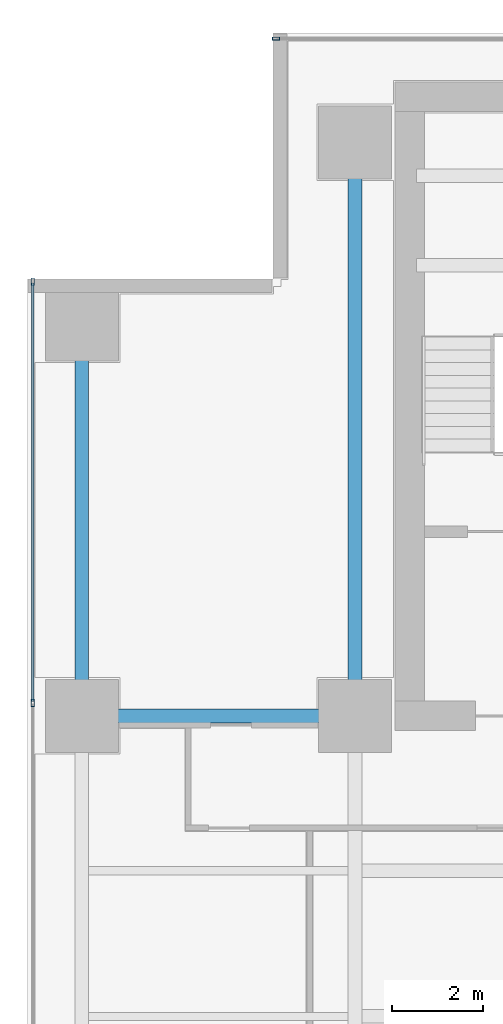
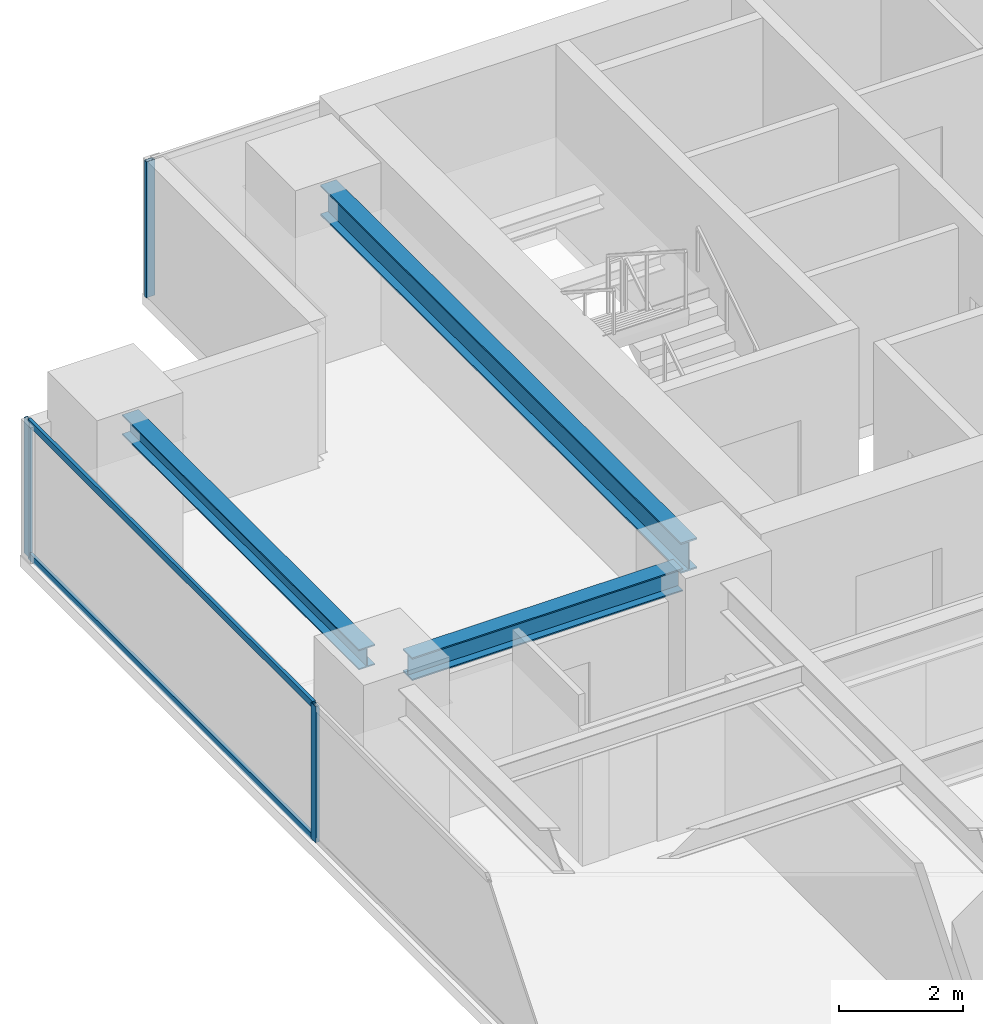
# One storey, part 14 of 28: 5 members, 3 beams, 2 elements without a shape of their own.
"""IFC4 building model written with IfcOpenShell, lengths in metres."""

from ifc_helpers import new_model, si_unit, direction, frame, origin, origin_2d, place, context, subcontext, project, spatial, hollow_rectangle, i_section, extrude, source, transform, mapped, material, layer, layer_set, material_profile, profile_set, type_object, element, aggregate, save


model = new_model("IFC4")

# Units and contexts
model_context = context("Model", 3, precision=1e-05, world=origin(), true_north=direction((0.0, 1.0)))
body_context = subcontext(model_context, "Body", "Model", "MODEL_VIEW")
ifc_project = project(units=[si_unit("LENGTHUNIT", "METRE"), si_unit("AREAUNIT", "SQUARE_METRE"), si_unit("VOLUMEUNIT", "CUBIC_METRE"), si_unit("PLANEANGLEUNIT", "RADIAN"), si_unit("MASSUNIT", "GRAM", prefix="KILO")], contexts=[model_context])

# Site, building, storey
site_placement = place(None, origin())
site = spatial("IfcSite", under=ifc_project, at=site_placement, CompositionType="ELEMENT")
building_placement = place(site_placement, origin())
building = spatial("IfcBuilding", under=site, at=building_placement, Name="Sumidabori Civic Tower", CompositionType="ELEMENT")
storey_placement = place(building_placement, frame((0.0, 0.0, 185.60009765625)))
storey = spatial("IfcBuildingStorey", under=building, at=storey_placement, Name="L48", CompositionType="ELEMENT", Elevation=185.60009765625)

# Beams
ifc_material_1 = material(Name="Steel SN490", Category="steel")
ifc_material_profile_1 = material_profile(ifc_material_1, i_section(OverallWidth=0.300048828125, OverallDepth=0.39990234375, WebThickness=0.013427734375, FlangeThickness=0.02392578125, at=origin_2d()), Name="HE 400 B")
ifc_profile_set_1 = profile_set([ifc_material_profile_1], Name="Steel SN490")
beam_type_1 = type_object("IfcBeamType", Name="BM-GIRD-400", PredefinedType="BEAM", material=ifc_profile_set_1)
shared_shape_1 = source(origin(), body_context, "Body", "SweptSolid", [
    extrude(i_section(OverallWidth=0.300048828125, OverallDepth=0.39990234375, WebThickness=0.013427734375, FlangeThickness=0.02392578125, at=origin_2d()), origin(), (0.0, 0.0, 1.0), 7.64013671875),
])
beam_1_placement = place(storey_placement, frame((-22.800048828125, 10.679931640625, 3.099853515625), z_axis=(0.0, 1.0, 0.0), x_axis=(-1.0, 0.0, 0.0)))
element("IfcBeam", 1, at=beam_1_placement, inside=storey, type_object=beam_type_1, Name="Primary Girder L48 GY-21", PredefinedType="BEAM", context=body_context, shape_type="MappedRepresentation", body=[
    mapped(shared_shape_1, transform((0.0, 0.0, 0.0), x_axis=(1.0, 0.0, 0.0), y_axis=(0.0, 1.0, 0.0), z_axis=(0.0, 0.0, 1.0), scale=1.0)),
])
ifc_material_profile_2 = material_profile(ifc_material_1, i_section(OverallWidth=0.300048828125, OverallDepth=0.60009765625, WebThickness=0.015380859375, FlangeThickness=0.030029296875, at=origin_2d()), Name="HE 600 B")
ifc_profile_set_2 = profile_set([ifc_material_profile_2], Name="Steel SN490")
beam_type_2 = type_object("IfcBeamType", Name="BM-GIRD-600", PredefinedType="BEAM", material=ifc_profile_set_2)
shared_shape_2 = source(origin(), body_context, "Body", "SweptSolid", [
    extrude(i_section(OverallWidth=0.300048828125, OverallDepth=0.60009765625, WebThickness=0.015380859375, FlangeThickness=0.030029296875, at=origin_2d()), origin(), (0.0, 0.0, 1.0), 11.64013671875),
])
beam_2_placement = place(storey_placement, frame((-16.800048828125, 10.679931640625, 3.0), z_axis=(0.0, 1.0, 0.0), x_axis=(-1.0, 0.0, 0.0)))
element("IfcBeam", 2, at=beam_2_placement, inside=storey, type_object=beam_type_2, Name="Primary Girder L48 GY-25", PredefinedType="BEAM", context=body_context, shape_type="MappedRepresentation", body=[
    mapped(shared_shape_2, transform((0.0, 0.0, 0.0), x_axis=(1.0, 0.0, 0.0), y_axis=(0.0, 1.0, 0.0), z_axis=(0.0, 0.0, 1.0), scale=1.0)),
])
ifc_material_profile_3 = material_profile(ifc_material_1, i_section(OverallWidth=0.300048828125, OverallDepth=0.449951171875, WebThickness=0.013916015625, FlangeThickness=0.02587890625, at=origin_2d()), Name="HE 450 B")
ifc_profile_set_3 = profile_set([ifc_material_profile_3], Name="Steel SN490")
beam_type_3 = type_object("IfcBeamType", Name="BM-GIRD-450", PredefinedType="BEAM", material=ifc_profile_set_3)
shared_shape_3 = source(origin(), body_context, "Body", "SweptSolid", [
    extrude(i_section(OverallWidth=0.300048828125, OverallDepth=0.449951171875, WebThickness=0.013916015625, FlangeThickness=0.02587890625, at=origin_2d()), origin(), (0.0, 0.0, 1.0), 5.0400390625),
])
beam_3_placement = place(storey_placement, frame((-22.320068359375, 10.199951171875, 3.074951171875), z_axis=(1.0, 0.0, 0.0), x_axis=(0.0, 1.0, 0.0)))
element("IfcBeam", 3, at=beam_3_placement, inside=storey, type_object=beam_type_3, Name="Primary Girder L48 GX-17", PredefinedType="BEAM", context=body_context, shape_type="MappedRepresentation", body=[
    mapped(shared_shape_3, transform((0.0, 0.0, 0.0), x_axis=(1.0, 0.0, 0.0), y_axis=(0.0, 1.0, 0.0), z_axis=(0.0, 0.0, 1.0), scale=1.0)),
])

# Curtain wall, member
ifc_material_2 = material(Name="Anodised Bronze Aluminium AW-6063-T6", Category="aluminium")
ifc_layer = layer(ifc_material_2, 0.179931640625, Name="Anodised Bronze Aluminium AW-6063-T6")
ifc_layer_set = layer_set([ifc_layer], Name="Anodised Bronze Aluminium AW-6063-T6")
curtain_wall_type = type_object("IfcCurtainWallType", Name="CW-SYS-3", PredefinedType="NOTDEFINED", material=ifc_layer_set)
curtain_wall_1_placement = place(storey_placement, origin())
curtain_wall_1 = element("IfcCurtainWall", 4, at=curtain_wall_1_placement, inside=storey, type_object=curtain_wall_type, Name="Curtain Wall CW:L48:R07", PredefinedType="NOTDEFINED")
ifc_material_profile_4 = material_profile(ifc_material_2, hollow_rectangle(XDim=0.06494140625, YDim=0.159912109375, WallThickness=0.0048828125, at=origin_2d()), Name="ALU MULLION 160x65")
ifc_profile_set_4 = profile_set([ifc_material_profile_4], Name="Anodised Bronze Aluminium AW-6063-T6")
member_type_1 = type_object("IfcMemberType", Name="CW-MUL-160", PredefinedType="MULLION", material=ifc_profile_set_4)
shared_shape_4 = source(origin(), body_context, "Body", "SweptSolid", [
    extrude(hollow_rectangle(XDim=0.06494140625, YDim=0.159912109375, WallThickness=0.0048828125, at=origin_2d()), origin(), (0.0, 0.0, 1.0), 2.679931640625),
])
member_1_placement = place(storey_placement, frame((-18.53759765625, 25.080078125, 0.0), z_axis=(0.0, 0.0, 1.0), x_axis=(0.0, -1.0, 0.0)))
member_1 = element("IfcMember", 5, at=member_1_placement, type_object=member_type_1, Name="CW-3 mullion 5", PredefinedType="MULLION", context=body_context, shape_type="MappedRepresentation", body=[
    mapped(shared_shape_4, transform((0.0, 0.0, 0.0), x_axis=(1.0, 0.0, 0.0), y_axis=(0.0, 1.0, 0.0), z_axis=(0.0, 0.0, 1.0), scale=1.0)),
])
aggregate(curtain_wall_1, [member_1])

# Curtain wall, members
curtain_wall_2_placement = place(storey_placement, origin())
curtain_wall_2 = element("IfcCurtainWall", 6, at=curtain_wall_2_placement, inside=storey, type_object=curtain_wall_type, Name="Curtain Wall CW:L48:R10", PredefinedType="NOTDEFINED")
member_2_placement = place(storey_placement, frame((-23.8798828125, 19.737548828125, 0.0), z_axis=(0.0, 0.0, 1.0), x_axis=(1.0, 0.0, 0.0)))
member_2 = element("IfcMember", 7, at=member_2_placement, type_object=member_type_1, Name="CW-3 mullion 1", PredefinedType="MULLION", context=body_context, shape_type="MappedRepresentation", body=[
    mapped(shared_shape_4, transform((0.0, 0.0, 0.0), x_axis=(1.0, 0.0, 0.0), y_axis=(0.0, 1.0, 0.0), z_axis=(0.0, 0.0, 1.0), scale=1.0)),
])
member_3_placement = place(storey_placement, frame((-23.8798828125, 10.485107421875, 0.0), z_axis=(0.0, 0.0, 1.0), x_axis=(1.0, 0.0, 0.0)))
member_3 = element("IfcMember", 8, at=member_3_placement, type_object=member_type_1, Name="CW-3 mullion 2", PredefinedType="MULLION", context=body_context, shape_type="MappedRepresentation", body=[
    mapped(shared_shape_4, transform((0.0, 0.0, 0.0), x_axis=(1.0, 0.0, 0.0), y_axis=(0.0, 1.0, 0.0), z_axis=(0.0, 0.0, 1.0), scale=1.0)),
])
ifc_material_profile_5 = material_profile(ifc_material_2, hollow_rectangle(XDim=0.06005859375, YDim=0.1298828125, WallThickness=0.0048828125, at=origin_2d()), Name="ALU TRANSOM 130x60")
ifc_profile_set_5 = profile_set([ifc_material_profile_5], Name="Anodised Bronze Aluminium AW-6063-T6")
member_type_2 = type_object("IfcMemberType", Name="CW-TRN-130", PredefinedType="USERDEFINED", material=ifc_profile_set_5)
shared_shape_5 = source(origin(), body_context, "Body", "SweptSolid", [
    extrude(hollow_rectangle(XDim=0.06005859375, YDim=0.1298828125, WallThickness=0.0048828125, at=origin_2d()), origin(), (0.0, 0.0, 1.0), 9.1875),
])
member_4_placement = place(storey_placement, frame((-23.8798828125, 19.705078125, 0.02978515625), z_axis=(0.0, -1.0, 0.0), x_axis=(1.0, 0.0, 0.0)))
member_4 = element("IfcMember", 9, at=member_4_placement, type_object=member_type_2, Name="CW-3 transom 1.1", ObjectType="TRANSOM", PredefinedType="USERDEFINED", context=body_context, shape_type="MappedRepresentation", body=[
    mapped(shared_shape_5, transform((0.0, 0.0, 0.0), x_axis=(1.0, 0.0, 0.0), y_axis=(0.0, 1.0, 0.0), z_axis=(0.0, 0.0, 1.0), scale=1.0)),
])
member_5_placement = place(storey_placement, frame((-23.8798828125, 19.705078125, 2.64990234375), z_axis=(0.0, -1.0, 0.0), x_axis=(1.0, 0.0, 0.0)))
member_5 = element("IfcMember", 10, at=member_5_placement, type_object=member_type_2, Name="CW-3 transom 1.2", ObjectType="TRANSOM", PredefinedType="USERDEFINED", context=body_context, shape_type="MappedRepresentation", body=[
    mapped(shared_shape_5, transform((0.0, 0.0, 0.0), x_axis=(1.0, 0.0, 0.0), y_axis=(0.0, 1.0, 0.0), z_axis=(0.0, 0.0, 1.0), scale=1.0)),
])
aggregate(curtain_wall_2, [member_2, member_3, member_4, member_5])

save(model, "model.ifc")
